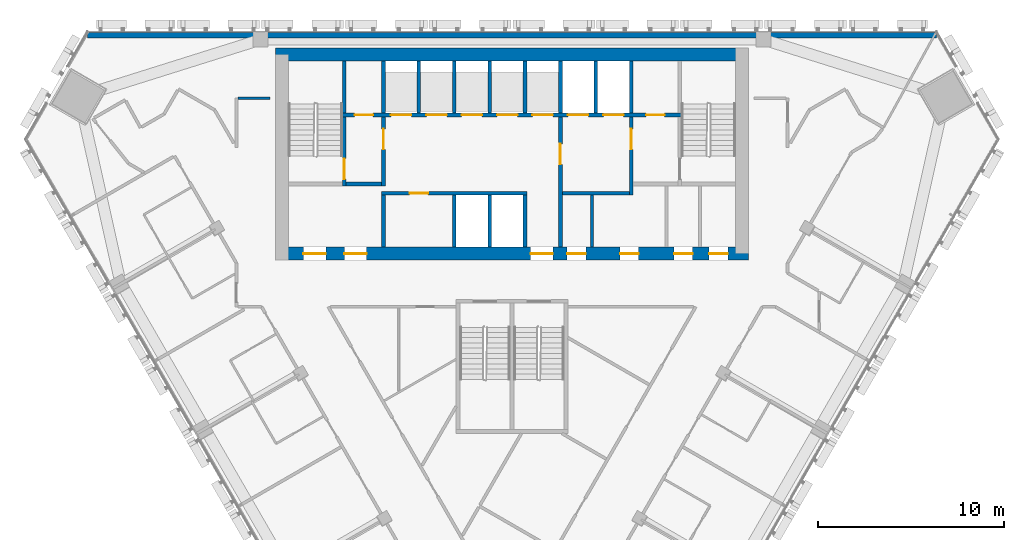
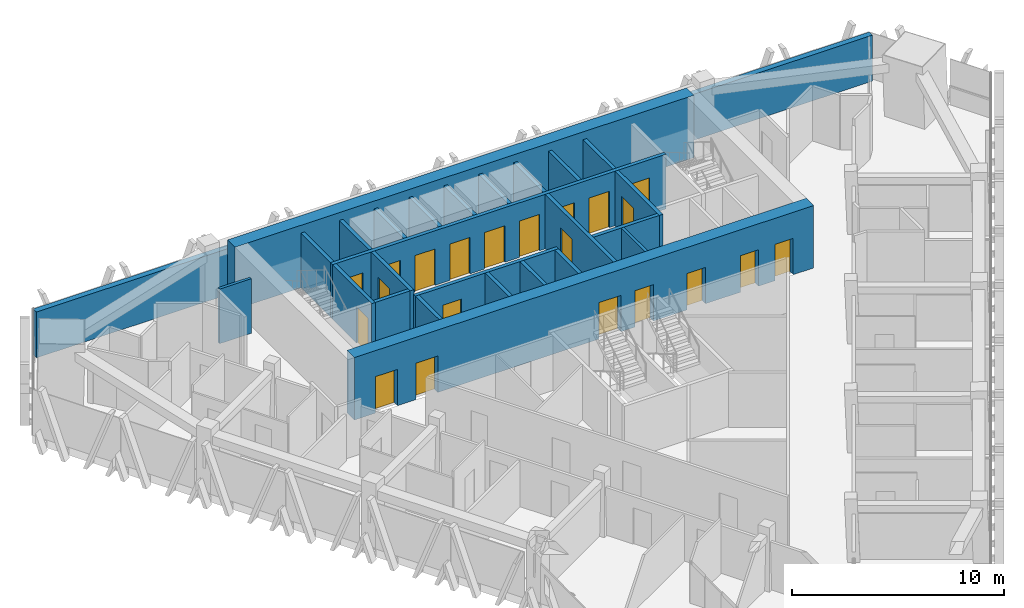
# One storey, part 11 of 16: 26 walls, 21 doors, 21 openings.
"""IFC4 building model written with IfcOpenShell, lengths in metres."""

from ifc_helpers import new_model, si_unit, direction, frame, frame_2d, origin, place, context, subcontext, project, spatial, rectangle, extrude, material, layer, layer_set, type_object, element, fill, save


model = new_model("IFC4")

# Units and contexts
model_context = context("Model", 3, precision=1e-05, world=origin(), true_north=direction((0.0, 1.0)))
body_context = subcontext(model_context, "Body", "Model", "MODEL_VIEW")
ifc_project = project(units=[si_unit("LENGTHUNIT", "METRE"), si_unit("AREAUNIT", "SQUARE_METRE"), si_unit("VOLUMEUNIT", "CUBIC_METRE"), si_unit("PLANEANGLEUNIT", "RADIAN"), si_unit("MASSUNIT", "GRAM", prefix="KILO")], contexts=[model_context])

# Site, building, storey
site_placement = place(None, origin())
site = spatial("IfcSite", under=ifc_project, at=site_placement, CompositionType="ELEMENT")
building_placement = place(site_placement, origin())
building = spatial("IfcBuilding", under=site, at=building_placement, Name="Altiplano Prism Tower", CompositionType="ELEMENT")
storey_placement = place(building_placement, frame((0.0, 0.0, 181.800048828125)))
storey = spatial("IfcBuildingStorey", under=building, at=storey_placement, Name="L47", CompositionType="ELEMENT", Elevation=181.800048828125)

# Wall, openings, doors
ifc_material_1 = material(Name="Concrete C60/75", Category="concrete")
ifc_layer_1 = layer(ifc_material_1, 0.699951171875)
ifc_layer_set_1 = layer_set([ifc_layer_1], Name="Concrete C60/75")
wall_type_1 = type_object("IfcWallType", Name="Core wall 700", PredefinedType="SHEAR", material=ifc_layer_set_1)
wall_1_placement = place(storey_placement, frame((72.64990234375, 93.050048828125, 0.0), z_axis=(0.0, 0.0, 1.0), x_axis=(1.0, 0.0, 0.0)))
wall_1 = element("IfcWall", 1, at=wall_1_placement, inside=storey, type_object=wall_type_1, Name="Core wall S L47", PredefinedType="SHEAR", context=body_context, shape_type="SweptSolid", body=[
    extrude(rectangle(XDim=25.050048828125, YDim=0.699951171875, at=frame_2d((12.52490234375, 0.0))), origin(), (0.0, 0.0, 1.0), 3.599853515625),
])
opening_1_placement = place(wall_1_placement, frame((1.14990234375, 0.0, 0.0)))
opening_1 = element("IfcOpeningElement", 2, at=opening_1_placement, cuts=wall_1, Name="Opening D3231", PredefinedType="OPENING", context=body_context, shape_type="SweptSolid", body=[
    extrude(rectangle(XDim=1.199951171875, YDim=2.10009765625, at=frame_2d((0.60009765625, 1.050048828125))), frame((0.0, 0.3603515625, 0.0), z_axis=(0.0, -1.0, 0.0), x_axis=(1.0, 0.0, 0.0)), (0.0, 0.0, 1.0), 0.720947265625),
])
opening_2_placement = place(wall_1_placement, frame((3.35009765625, 0.0, 0.0)))
opening_2 = element("IfcOpeningElement", 3, at=opening_2_placement, cuts=wall_1, Name="Opening D3232", PredefinedType="OPENING", context=body_context, shape_type="SweptSolid", body=[
    extrude(rectangle(XDim=1.199951171875, YDim=2.10009765625, at=frame_2d((0.60009765625, 1.050048828125))), frame((0.0, 0.3603515625, 0.0), z_axis=(0.0, -1.0, 0.0), x_axis=(1.0, 0.0, 0.0)), (0.0, 0.0, 1.0), 0.720947265625),
])
opening_3_placement = place(wall_1_placement, frame((13.35009765625, 0.0, 0.0)))
opening_3 = element("IfcOpeningElement", 4, at=opening_3_placement, cuts=wall_1, Name="Opening D3233", PredefinedType="OPENING", context=body_context, shape_type="SweptSolid", body=[
    extrude(rectangle(XDim=1.199951171875, YDim=2.10009765625, at=frame_2d((0.60009765625, 1.050048828125))), frame((0.0, 0.3603515625, 0.0), z_axis=(0.0, -1.0, 0.0), x_axis=(1.0, 0.0, 0.0)), (0.0, 0.0, 1.0), 0.720947265625),
])
opening_4_placement = place(wall_1_placement, frame((15.3125, 0.0, 0.0)))
opening_4 = element("IfcOpeningElement", 5, at=opening_4_placement, cuts=wall_1, Name="Opening D3236", PredefinedType="OPENING", context=body_context, shape_type="SweptSolid", body=[
    extrude(rectangle(XDim=1.0, YDim=2.10009765625, at=frame_2d((0.5, 1.050048828125))), frame((0.0, 0.3603515625, 0.0), z_axis=(0.0, -1.0, 0.0), x_axis=(1.0, 0.0, 0.0)), (0.0, 0.0, 1.0), 0.720947265625),
])
opening_5_placement = place(wall_1_placement, frame((18.14990234375, 0.0, 0.0)))
opening_5 = element("IfcOpeningElement", 6, at=opening_5_placement, cuts=wall_1, Name="Opening D3237", PredefinedType="OPENING", context=body_context, shape_type="SweptSolid", body=[
    extrude(rectangle(XDim=1.0, YDim=2.10009765625, at=frame_2d((0.5, 1.050048828125))), frame((0.0, 0.3603515625, 0.0), z_axis=(0.0, -1.0, 0.0), x_axis=(1.0, 0.0, 0.0)), (0.0, 0.0, 1.0), 0.720947265625),
])
opening_6_placement = place(wall_1_placement, frame((21.050048828125, 0.0, 0.0)))
opening_6 = element("IfcOpeningElement", 7, at=opening_6_placement, cuts=wall_1, Name="Opening D3238", PredefinedType="OPENING", context=body_context, shape_type="SweptSolid", body=[
    extrude(rectangle(XDim=1.0, YDim=2.10009765625, at=frame_2d((0.5, 1.050048828125))), frame((0.0, 0.3603515625, 0.0), z_axis=(0.0, -1.0, 0.0), x_axis=(1.0, 0.0, 0.0)), (0.0, 0.0, 1.0), 0.720947265625),
])
opening_7_placement = place(wall_1_placement, frame((22.9375, 0.0, 0.0)))
opening_7 = element("IfcOpeningElement", 8, at=opening_7_placement, cuts=wall_1, Name="Opening D3239", PredefinedType="OPENING", context=body_context, shape_type="SweptSolid", body=[
    extrude(rectangle(XDim=1.0, YDim=2.10009765625, at=frame_2d((0.5, 1.050048828125))), frame((0.0, 0.3603515625, 0.0), z_axis=(0.0, -1.0, 0.0), x_axis=(1.0, 0.0, 0.0)), (0.0, 0.0, 1.0), 0.720947265625),
])
ifc_material_2 = material(Name="Fire-rated steel door", Category="steel")
door_type_1 = type_object("IfcDoorType", Name="Core room door 1000 x 2100", OperationType="NOTDEFINED", PredefinedType="NOTDEFINED", material=ifc_material_2)
door_1_placement = place(opening_4_placement, origin())
door_1 = element("IfcDoor", 9, at=door_1_placement, inside=storey, type_object=door_type_1, Name="Core room door D3236", OperationType="SINGLE_SWING_RIGHT", OverallHeight=2.10009765625, OverallWidth=1.0, PredefinedType="NOTDEFINED", context=body_context, shape_type="SweptSolid", body=[
    extrude(rectangle(XDim=1.0, YDim=2.10009765625, at=frame_2d((0.5, 1.050048828125))), frame((0.0, 0.02490234375, 0.0), z_axis=(0.0, -1.0, 0.0), x_axis=(1.0, 0.0, 0.0)), (0.0, 0.0, 1.0), 0.050048828125),
])
fill(opening_4, door_1)
door_2_placement = place(opening_5_placement, origin())
door_2 = element("IfcDoor", 10, at=door_2_placement, inside=storey, type_object=door_type_1, Name="Core room door D3237", OperationType="SINGLE_SWING_LEFT", OverallHeight=2.10009765625, OverallWidth=1.0, PredefinedType="NOTDEFINED", context=body_context, shape_type="SweptSolid", body=[
    extrude(rectangle(XDim=1.0, YDim=2.10009765625, at=frame_2d((0.5, 1.050048828125))), frame((0.0, 0.02490234375, 0.0), z_axis=(0.0, -1.0, 0.0), x_axis=(1.0, 0.0, 0.0)), (0.0, 0.0, 1.0), 0.050048828125),
])
fill(opening_5, door_2)
door_3_placement = place(opening_6_placement, origin())
door_3 = element("IfcDoor", 11, at=door_3_placement, inside=storey, type_object=door_type_1, Name="Core room door D3238", OperationType="SINGLE_SWING_RIGHT", OverallHeight=2.10009765625, OverallWidth=1.0, PredefinedType="NOTDEFINED", context=body_context, shape_type="SweptSolid", body=[
    extrude(rectangle(XDim=1.0, YDim=2.10009765625, at=frame_2d((0.5, 1.050048828125))), frame((0.0, 0.02490234375, 0.0), z_axis=(0.0, -1.0, 0.0), x_axis=(1.0, 0.0, 0.0)), (0.0, 0.0, 1.0), 0.050048828125),
])
fill(opening_6, door_3)
door_4_placement = place(opening_7_placement, origin())
door_4 = element("IfcDoor", 12, at=door_4_placement, inside=storey, type_object=door_type_1, Name="Core room door D3239", OperationType="SINGLE_SWING_LEFT", OverallHeight=2.10009765625, OverallWidth=1.0, PredefinedType="NOTDEFINED", context=body_context, shape_type="SweptSolid", body=[
    extrude(rectangle(XDim=1.0, YDim=2.10009765625, at=frame_2d((0.5, 1.050048828125))), frame((0.0, 0.02490234375, 0.0), z_axis=(0.0, -1.0, 0.0), x_axis=(1.0, 0.0, 0.0)), (0.0, 0.0, 1.0), 0.050048828125),
])
fill(opening_7, door_4)
door_type_2 = type_object("IfcDoorType", Name="Lobby fire door 1200 x 2100", OperationType="NOTDEFINED", PredefinedType="NOTDEFINED", material=ifc_material_2)
door_5_placement = place(opening_1_placement, origin())
door_5 = element("IfcDoor", 13, at=door_5_placement, inside=storey, type_object=door_type_2, Name="Lobby fire door D3231", OperationType="SINGLE_SWING_RIGHT", OverallHeight=2.10009765625, OverallWidth=1.199951171875, PredefinedType="NOTDEFINED", context=body_context, shape_type="SweptSolid", body=[
    extrude(rectangle(XDim=1.199951171875, YDim=2.10009765625, at=frame_2d((0.60009765625, 1.050048828125))), frame((0.0, 0.02490234375, 0.0), z_axis=(0.0, -1.0, 0.0), x_axis=(1.0, 0.0, 0.0)), (0.0, 0.0, 1.0), 0.050048828125),
])
fill(opening_1, door_5)
door_6_placement = place(opening_2_placement, origin())
door_6 = element("IfcDoor", 14, at=door_6_placement, inside=storey, type_object=door_type_2, Name="Lobby fire door D3232", OperationType="SINGLE_SWING_LEFT", OverallHeight=2.10009765625, OverallWidth=1.199951171875, PredefinedType="NOTDEFINED", context=body_context, shape_type="SweptSolid", body=[
    extrude(rectangle(XDim=1.199951171875, YDim=2.10009765625, at=frame_2d((0.60009765625, 1.050048828125))), frame((0.0, 0.02490234375, 0.0), z_axis=(0.0, -1.0, 0.0), x_axis=(1.0, 0.0, 0.0)), (0.0, 0.0, 1.0), 0.050048828125),
])
fill(opening_2, door_6)
door_7_placement = place(opening_3_placement, origin())
door_7 = element("IfcDoor", 15, at=door_7_placement, inside=storey, type_object=door_type_2, Name="Lobby fire door D3233", OperationType="SINGLE_SWING_RIGHT", OverallHeight=2.10009765625, OverallWidth=1.199951171875, PredefinedType="NOTDEFINED", context=body_context, shape_type="SweptSolid", body=[
    extrude(rectangle(XDim=1.199951171875, YDim=2.10009765625, at=frame_2d((0.60009765625, 1.050048828125))), frame((0.0, 0.02490234375, 0.0), z_axis=(0.0, -1.0, 0.0), x_axis=(1.0, 0.0, 0.0)), (0.0, 0.0, 1.0), 0.050048828125),
])
fill(opening_3, door_7)

# Walls
wall_2_placement = place(storey_placement, frame((97.35009765625, 103.75, 0.0), z_axis=(0.0, 0.0, 1.0), x_axis=(-1.0, 0.0, 0.0)))
element("IfcWall", 16, at=wall_2_placement, inside=storey, type_object=wall_type_1, Name="Core wall N L47", PredefinedType="SHEAR", context=body_context, shape_type="SweptSolid", body=[
    extrude(rectangle(XDim=25.050048828125, YDim=0.699951171875, at=frame_2d((12.52490234375, 0.0))), origin(), (0.0, 0.0, 1.0), 3.599853515625),
])
ifc_material_3 = material(Name="Plasterboard on steel stud", Category="steel")
ifc_layer_2 = layer(ifc_material_3, 0.14990234375)
ifc_layer_set_2 = layer_set([ifc_layer_2], Name="Plasterboard on steel stud")
wall_type_2 = type_object("IfcWallType", Name="Partition 150 corridor", PredefinedType="PARTITIONING", material=ifc_layer_set_2)
wall_3_placement = place(storey_placement, frame((72.0, 101.39990234375, 0.0), z_axis=(0.0, 0.0, 1.0), x_axis=(-1.0, 0.0, 0.0)))
element("IfcWall", 17, at=wall_3_placement, inside=storey, type_object=wall_type_2, Name="Partition P06 L47 023", PredefinedType="PARTITIONING", context=body_context, shape_type="SweptSolid", body=[
    extrude(rectangle(XDim=1.72509765625, YDim=0.14990234375, at=frame_2d((0.862548828125, 0.0))), origin(), (0.0, 0.0, 1.0), 3.14990234375),
])
ifc_material_4 = material(Name="Fire-rated gypsum board partition")
ifc_layer_3 = layer(ifc_material_4, 0.14990234375)
ifc_layer_set_3 = layer_set([ifc_layer_3], Name="Fire-rated gypsum board partition")
wall_type_3 = type_object("IfcWallType", Name="Room partition 150", PredefinedType="PARTITIONING", material=ifc_layer_set_3)
wall_4_placement = place(storey_placement, frame((89.300048828125, 93.39990234375, 0.0), z_axis=(0.0, 0.0, 1.0), x_axis=(0.0, 1.0, 0.0)))
element("IfcWall", 18, at=wall_4_placement, inside=storey, type_object=wall_type_3, Name="Room partition L47", PredefinedType="PARTITIONING", context=body_context, shape_type="SweptSolid", body=[
    extrude(rectangle(XDim=2.800048828125, YDim=0.14990234375, at=frame_2d((1.39990234375, 0.0))), origin(), (0.0, 0.0, 1.0), 3.14990234375),
])
ifc_layer_4 = layer(ifc_material_1, 0.199951171875)
ifc_layer_set_4 = layer_set([ifc_layer_4], Name="Concrete C60/75")
wall_type_4 = type_object("IfcWallType", Name="Shaft wall 200", PredefinedType="SOLIDWALL", material=ifc_layer_set_4)
for number, where, z_axis, x_axis, name in (
    (19, (81.89990234375, 93.39990234375, 0.0), (0.0, 0.0, 1.0), (0.0, 1.0, 0.0), "Shaft wall L47"),
    (20, (83.800048828125, 93.39990234375, 0.0), (0.0, 0.0, 1.0), (0.0, 1.0, 0.0), "Shaft wall L47"),
    (21, (85.699951171875, 93.39990234375, 0.0), (0.0, 0.0, 1.0), (0.0, 1.0, 0.0), "Shaft wall L47"),
):
    element("IfcWall", number, at=place(storey_placement, frame(where, z_axis=z_axis, x_axis=x_axis)), inside=storey, type_object=wall_type_4, Name=name, PredefinedType="SOLIDWALL", context=body_context, shape_type="SweptSolid", body=[
        extrude(rectangle(XDim=2.800048828125, YDim=0.199951171875, at=frame_2d((1.39990234375, 0.0))), origin(), (0.0, 0.0, 1.0), 3.14990234375),
    ])

# Wall, opening, door
wall_5_placement = place(storey_placement, frame((78.0, 96.300048828125, 0.0), z_axis=(0.0, 0.0, 1.0), x_axis=(1.0, 0.0, 0.0)))
wall_5 = element("IfcWall", 22, at=wall_5_placement, inside=storey, type_object=wall_type_4, Name="Shaft wall L47", PredefinedType="SOLIDWALL", context=body_context, shape_type="SweptSolid", body=[
    extrude(rectangle(XDim=7.800048828125, YDim=0.199951171875, at=frame_2d((3.89990234375, 0.0))), origin(), (0.0, 0.0, 1.0), 3.14990234375),
])
opening_8_placement = place(wall_5_placement, frame((1.5, 0.0, 0.0)))
opening_8 = element("IfcOpeningElement", 23, at=opening_8_placement, cuts=wall_5, Name="Opening D3240", PredefinedType="OPENING", context=body_context, shape_type="SweptSolid", body=[
    extrude(rectangle(XDim=1.0, YDim=2.10009765625, at=frame_2d((0.5, 1.050048828125))), frame((0.0, 0.1103515625, 0.0), z_axis=(0.0, -1.0, 0.0), x_axis=(1.0, 0.0, 0.0)), (0.0, 0.0, 1.0), 0.220947265625),
])
door_8_placement = place(opening_8_placement, origin())
door_8 = element("IfcDoor", 24, at=door_8_placement, inside=storey, type_object=door_type_1, Name="Core room door D3240", OperationType="SINGLE_SWING_RIGHT", OverallHeight=2.10009765625, OverallWidth=1.0, PredefinedType="NOTDEFINED", context=body_context, shape_type="SweptSolid", body=[
    extrude(rectangle(XDim=1.0, YDim=2.10009765625, at=frame_2d((0.5, 1.050048828125))), frame((0.0, 0.02490234375, 0.0), z_axis=(0.0, -1.0, 0.0), x_axis=(1.0, 0.0, 0.0)), (0.0, 0.0, 1.0), 0.050048828125),
])
fill(opening_8, door_8)

# Walls
for number, where, z_axis, x_axis, name in (
    (25, (78.10009765625, 100.60009765625, 0.0), (0.0, 0.0, 1.0), (0.0, 1.0, 0.0), "Shaft wall L47"),
    (26, (80.0, 100.60009765625, 0.0), (0.0, 0.0, 1.0), (0.0, 1.0, 0.0), "Shaft wall L47"),
    (27, (81.89990234375, 100.60009765625, 0.0), (0.0, 0.0, 1.0), (0.0, 1.0, 0.0), "Shaft wall L47"),
    (28, (83.800048828125, 100.60009765625, 0.0), (0.0, 0.0, 1.0), (0.0, 1.0, 0.0), "Shaft wall L47"),
    (29, (85.699951171875, 100.60009765625, 0.0), (0.0, 0.0, 1.0), (0.0, 1.0, 0.0), "Shaft wall L47"),
    (30, (87.60009765625, 100.60009765625, 0.0), (0.0, 0.0, 1.0), (0.0, 1.0, 0.0), "Shaft wall L47"),
    (31, (89.5, 100.60009765625, 0.0), (0.0, 0.0, 1.0), (0.0, 1.0, 0.0), "Shaft wall L47"),
    (32, (91.39990234375, 100.60009765625, 0.0), (0.0, 0.0, 1.0), (0.0, 1.0, 0.0), "Shaft wall L47"),
):
    element("IfcWall", number, at=place(storey_placement, frame(where, z_axis=z_axis, x_axis=x_axis)), inside=storey, type_object=wall_type_4, Name=name, PredefinedType="SOLIDWALL", context=body_context, shape_type="SweptSolid", body=[
        extrude(rectangle(XDim=2.7998046875, YDim=0.199951171875, at=frame_2d((1.39990234375, 0.0))), origin(), (0.0, 0.0, 1.0), 3.14990234375),
    ])

# Wall, opening, door
ifc_layer_5 = layer(ifc_material_1, 0.199951171875)
ifc_layer_set_5 = layer_set([ifc_layer_5], Name="Concrete C60/75")
wall_type_5 = type_object("IfcWallType", Name="Stair wall 200", PredefinedType="SOLIDWALL", material=ifc_layer_set_5)
wall_6_placement = place(storey_placement, frame((76.0, 96.699951171875, 0.0), z_axis=(0.0, 0.0, 1.0), x_axis=(0.0, 1.0, 0.0)))
wall_6 = element("IfcWall", 33, at=wall_6_placement, inside=storey, type_object=wall_type_5, Name="Stair wall L47", PredefinedType="SOLIDWALL", context=body_context, shape_type="SweptSolid", body=[
    extrude(rectangle(XDim=3.699951171875, YDim=0.199951171875, at=frame_2d((1.85009765625, 0.0))), origin(), (0.0, 0.0, 1.0), 3.14990234375),
])
opening_9_placement = place(wall_6_placement, frame((0.35009765625, 0.0, 0.0)))
opening_9 = element("IfcOpeningElement", 34, at=opening_9_placement, cuts=wall_6, Name="Opening D3226", PredefinedType="OPENING", context=body_context, shape_type="SweptSolid", body=[
    extrude(rectangle(XDim=1.10009765625, YDim=2.10009765625, at=frame_2d((0.550048828125, 1.050048828125))), frame((0.0, 0.1103515625, 0.0), z_axis=(0.0, -1.0, 0.0), x_axis=(1.0, 0.0, 0.0)), (0.0, 0.0, 1.0), 0.220947265625),
])
door_type_3 = type_object("IfcDoorType", Name="Stair fire door 1100 x 2100", OperationType="NOTDEFINED", PredefinedType="NOTDEFINED", material=ifc_material_2)
door_9_placement = place(opening_9_placement, origin())
door_9 = element("IfcDoor", 35, at=door_9_placement, inside=storey, type_object=door_type_3, Name="Stair fire door D3226", OperationType="SINGLE_SWING_RIGHT", OverallHeight=2.10009765625, OverallWidth=1.10009765625, PredefinedType="NOTDEFINED", context=body_context, shape_type="SweptSolid", body=[
    extrude(rectangle(XDim=1.10009765625, YDim=2.10009765625, at=frame_2d((0.550048828125, 1.050048828125))), frame((0.0, 0.02490234375, 0.0), z_axis=(0.0, -1.0, 0.0), x_axis=(1.0, 0.0, 0.0)), (0.0, 0.0, 1.0), 0.050048828125),
])
fill(opening_9, door_9)

# Wall, openings, doors
wall_7_placement = place(storey_placement, frame((75.89990234375, 100.5, 0.0), z_axis=(0.0, 0.0, 1.0), x_axis=(1.0, 0.0, 0.0)))
wall_7 = element("IfcWall", 36, at=wall_7_placement, inside=storey, type_object=wall_type_5, Name="Stair wall L47", PredefinedType="SOLIDWALL", context=body_context, shape_type="SweptSolid", body=[
    extrude(rectangle(XDim=18.2001953125, YDim=0.199951171875, at=frame_2d((9.10009765625, 0.0))), origin(), (0.0, 0.0, 1.0), 3.14990234375),
])
opening_10_placement = place(wall_7_placement, frame((2.60009765625, 0.0, 0.0)))
opening_10 = element("IfcOpeningElement", 37, at=opening_10_placement, cuts=wall_7, Name="Opening LD-ML1-L47", PredefinedType="OPENING", context=body_context, shape_type="SweptSolid", body=[
    extrude(rectangle(XDim=1.10009765625, YDim=2.10009765625, at=frame_2d((0.550048828125, 1.050048828125))), frame((0.0, 0.1103515625, 0.0), z_axis=(0.0, -1.0, 0.0), x_axis=(1.0, 0.0, 0.0)), (0.0, 0.0, 1.0), 0.220947265625),
])
opening_11_placement = place(wall_7_placement, frame((4.5, 0.0, 0.0)))
opening_11 = element("IfcOpeningElement", 38, at=opening_11_placement, cuts=wall_7, Name="Opening LD-ML2-L47", PredefinedType="OPENING", context=body_context, shape_type="SweptSolid", body=[
    extrude(rectangle(XDim=1.10009765625, YDim=2.10009765625, at=frame_2d((0.550048828125, 1.050048828125))), frame((0.0, 0.1103515625, 0.0), z_axis=(0.0, -1.0, 0.0), x_axis=(1.0, 0.0, 0.0)), (0.0, 0.0, 1.0), 0.220947265625),
])
opening_12_placement = place(wall_7_placement, frame((6.39990234375, 0.0, 0.0)))
opening_12 = element("IfcOpeningElement", 39, at=opening_12_placement, cuts=wall_7, Name="Opening LD-ML3-L47", PredefinedType="OPENING", context=body_context, shape_type="SweptSolid", body=[
    extrude(rectangle(XDim=1.10009765625, YDim=2.10009765625, at=frame_2d((0.550048828125, 1.050048828125))), frame((0.0, 0.1103515625, 0.0), z_axis=(0.0, -1.0, 0.0), x_axis=(1.0, 0.0, 0.0)), (0.0, 0.0, 1.0), 0.220947265625),
])
opening_13_placement = place(wall_7_placement, frame((8.300048828125, 0.0, 0.0)))
opening_13 = element("IfcOpeningElement", 40, at=opening_13_placement, cuts=wall_7, Name="Opening LD-ML4-L47", PredefinedType="OPENING", context=body_context, shape_type="SweptSolid", body=[
    extrude(rectangle(XDim=1.10009765625, YDim=2.10009765625, at=frame_2d((0.550048828125, 1.050048828125))), frame((0.0, 0.1103515625, 0.0), z_axis=(0.0, -1.0, 0.0), x_axis=(1.0, 0.0, 0.0)), (0.0, 0.0, 1.0), 0.220947265625),
])
opening_14_placement = place(wall_7_placement, frame((10.199951171875, 0.0, 0.0)))
opening_14 = element("IfcOpeningElement", 41, at=opening_14_placement, cuts=wall_7, Name="Opening LD-ML5-L47", PredefinedType="OPENING", context=body_context, shape_type="SweptSolid", body=[
    extrude(rectangle(XDim=1.10009765625, YDim=2.10009765625, at=frame_2d((0.550048828125, 1.050048828125))), frame((0.0, 0.1103515625, 0.0), z_axis=(0.0, -1.0, 0.0), x_axis=(1.0, 0.0, 0.0)), (0.0, 0.0, 1.0), 0.220947265625),
])
opening_15_placement = place(wall_7_placement, frame((12.10009765625, 0.0, 0.0)))
opening_15 = element("IfcOpeningElement", 42, at=opening_15_placement, cuts=wall_7, Name="Opening LD-FF1-L47", PredefinedType="OPENING", context=body_context, shape_type="SweptSolid", body=[
    extrude(rectangle(XDim=1.10009765625, YDim=2.10009765625, at=frame_2d((0.550048828125, 1.050048828125))), frame((0.0, 0.1103515625, 0.0), z_axis=(0.0, -1.0, 0.0), x_axis=(1.0, 0.0, 0.0)), (0.0, 0.0, 1.0), 0.220947265625),
])
opening_16_placement = place(wall_7_placement, frame((14.0, 0.0, 0.0)))
opening_16 = element("IfcOpeningElement", 43, at=opening_16_placement, cuts=wall_7, Name="Opening LD-FF2-L47", PredefinedType="OPENING", context=body_context, shape_type="SweptSolid", body=[
    extrude(rectangle(XDim=1.10009765625, YDim=2.10009765625, at=frame_2d((0.550048828125, 1.050048828125))), frame((0.0, 0.1103515625, 0.0), z_axis=(0.0, -1.0, 0.0), x_axis=(1.0, 0.0, 0.0)), (0.0, 0.0, 1.0), 0.220947265625),
])
opening_17_placement = place(wall_7_placement, frame((0.64990234375, 0.0, 0.0)))
opening_17 = element("IfcOpeningElement", 44, at=opening_17_placement, cuts=wall_7, Name="Opening D3234", PredefinedType="OPENING", context=body_context, shape_type="SweptSolid", body=[
    extrude(rectangle(XDim=1.0, YDim=2.10009765625, at=frame_2d((0.5, 1.050048828125))), frame((0.0, 0.1103515625, 0.0), z_axis=(0.0, -1.0, 0.0), x_axis=(1.0, 0.0, 0.0)), (0.0, 0.0, 1.0), 0.220947265625),
])
opening_18_placement = place(wall_7_placement, frame((16.300048828125, 0.0, 0.0)))
opening_18 = element("IfcOpeningElement", 45, at=opening_18_placement, cuts=wall_7, Name="Opening D3235", PredefinedType="OPENING", context=body_context, shape_type="SweptSolid", body=[
    extrude(rectangle(XDim=1.0, YDim=2.10009765625, at=frame_2d((0.5, 1.050048828125))), frame((0.0, 0.1103515625, 0.0), z_axis=(0.0, -1.0, 0.0), x_axis=(1.0, 0.0, 0.0)), (0.0, 0.0, 1.0), 0.220947265625),
])
door_10_placement = place(opening_17_placement, origin())
door_10 = element("IfcDoor", 46, at=door_10_placement, inside=storey, type_object=door_type_1, Name="Core room door D3234", OperationType="SINGLE_SWING_LEFT", OverallHeight=2.10009765625, OverallWidth=1.0, PredefinedType="NOTDEFINED", context=body_context, shape_type="SweptSolid", body=[
    extrude(rectangle(XDim=1.0, YDim=2.10009765625, at=frame_2d((0.5, 1.050048828125))), frame((0.0, 0.02490234375, 0.0), z_axis=(0.0, -1.0, 0.0), x_axis=(1.0, 0.0, 0.0)), (0.0, 0.0, 1.0), 0.050048828125),
])
fill(opening_17, door_10)
door_11_placement = place(opening_18_placement, origin())
door_11 = element("IfcDoor", 47, at=door_11_placement, inside=storey, type_object=door_type_1, Name="Core room door D3235", OperationType="SINGLE_SWING_RIGHT", OverallHeight=2.10009765625, OverallWidth=1.0, PredefinedType="NOTDEFINED", context=body_context, shape_type="SweptSolid", body=[
    extrude(rectangle(XDim=1.0, YDim=2.10009765625, at=frame_2d((0.5, 1.050048828125))), frame((0.0, 0.02490234375, 0.0), z_axis=(0.0, -1.0, 0.0), x_axis=(1.0, 0.0, 0.0)), (0.0, 0.0, 1.0), 0.050048828125),
])
fill(opening_18, door_11)
ifc_material_5 = material(Name="Stainless steel landing door", Category="steel")
door_type_4 = type_object("IfcDoorType", Name="Landing door 1100 x 2100", OperationType="NOTDEFINED", PredefinedType="NOTDEFINED", material=ifc_material_5)
door_12_placement = place(opening_10_placement, origin())
door_12 = element("IfcDoor", 48, at=door_12_placement, inside=storey, type_object=door_type_4, Name="Landing doors ML1", OperationType="SLIDING_TO_RIGHT", OverallHeight=2.10009765625, OverallWidth=1.10009765625, PredefinedType="NOTDEFINED", context=body_context, shape_type="SweptSolid", body=[
    extrude(rectangle(XDim=1.10009765625, YDim=2.10009765625, at=frame_2d((0.550048828125, 1.050048828125))), frame((0.0, 0.02490234375, 0.0), z_axis=(0.0, -1.0, 0.0), x_axis=(1.0, 0.0, 0.0)), (0.0, 0.0, 1.0), 0.050048828125),
])
fill(opening_10, door_12)
door_13_placement = place(opening_11_placement, origin())
door_13 = element("IfcDoor", 49, at=door_13_placement, inside=storey, type_object=door_type_4, Name="Landing doors ML2", OperationType="SLIDING_TO_LEFT", OverallHeight=2.10009765625, OverallWidth=1.10009765625, PredefinedType="NOTDEFINED", context=body_context, shape_type="SweptSolid", body=[
    extrude(rectangle(XDim=1.10009765625, YDim=2.10009765625, at=frame_2d((0.550048828125, 1.050048828125))), frame((0.0, 0.02490234375, 0.0), z_axis=(0.0, -1.0, 0.0), x_axis=(1.0, 0.0, 0.0)), (0.0, 0.0, 1.0), 0.050048828125),
])
fill(opening_11, door_13)
door_14_placement = place(opening_12_placement, origin())
door_14 = element("IfcDoor", 50, at=door_14_placement, inside=storey, type_object=door_type_4, Name="Landing doors ML3", OperationType="SLIDING_TO_RIGHT", OverallHeight=2.10009765625, OverallWidth=1.10009765625, PredefinedType="NOTDEFINED", context=body_context, shape_type="SweptSolid", body=[
    extrude(rectangle(XDim=1.10009765625, YDim=2.10009765625, at=frame_2d((0.550048828125, 1.050048828125))), frame((0.0, 0.02490234375, 0.0), z_axis=(0.0, -1.0, 0.0), x_axis=(1.0, 0.0, 0.0)), (0.0, 0.0, 1.0), 0.050048828125),
])
fill(opening_12, door_14)
door_15_placement = place(opening_13_placement, origin())
door_15 = element("IfcDoor", 51, at=door_15_placement, inside=storey, type_object=door_type_4, Name="Landing doors ML4", OperationType="SLIDING_TO_LEFT", OverallHeight=2.10009765625, OverallWidth=1.10009765625, PredefinedType="NOTDEFINED", context=body_context, shape_type="SweptSolid", body=[
    extrude(rectangle(XDim=1.10009765625, YDim=2.10009765625, at=frame_2d((0.550048828125, 1.050048828125))), frame((0.0, 0.02490234375, 0.0), z_axis=(0.0, -1.0, 0.0), x_axis=(1.0, 0.0, 0.0)), (0.0, 0.0, 1.0), 0.050048828125),
])
fill(opening_13, door_15)
door_16_placement = place(opening_14_placement, origin())
door_16 = element("IfcDoor", 52, at=door_16_placement, inside=storey, type_object=door_type_4, Name="Landing doors ML5", OperationType="SLIDING_TO_RIGHT", OverallHeight=2.10009765625, OverallWidth=1.10009765625, PredefinedType="NOTDEFINED", context=body_context, shape_type="SweptSolid", body=[
    extrude(rectangle(XDim=1.10009765625, YDim=2.10009765625, at=frame_2d((0.550048828125, 1.050048828125))), frame((0.0, 0.02490234375, 0.0), z_axis=(0.0, -1.0, 0.0), x_axis=(1.0, 0.0, 0.0)), (0.0, 0.0, 1.0), 0.050048828125),
])
fill(opening_14, door_16)
door_17_placement = place(opening_15_placement, origin())
door_17 = element("IfcDoor", 53, at=door_17_placement, inside=storey, type_object=door_type_4, Name="Landing doors FF1", OperationType="SLIDING_TO_RIGHT", OverallHeight=2.10009765625, OverallWidth=1.10009765625, PredefinedType="NOTDEFINED", context=body_context, shape_type="SweptSolid", body=[
    extrude(rectangle(XDim=1.10009765625, YDim=2.10009765625, at=frame_2d((0.550048828125, 1.050048828125))), frame((0.0, 0.02490234375, 0.0), z_axis=(0.0, -1.0, 0.0), x_axis=(1.0, 0.0, 0.0)), (0.0, 0.0, 1.0), 0.050048828125),
])
fill(opening_15, door_17)
door_18_placement = place(opening_16_placement, origin())
door_18 = element("IfcDoor", 54, at=door_18_placement, inside=storey, type_object=door_type_4, Name="Landing doors FF2", OperationType="SLIDING_TO_LEFT", OverallHeight=2.10009765625, OverallWidth=1.10009765625, PredefinedType="NOTDEFINED", context=body_context, shape_type="SweptSolid", body=[
    extrude(rectangle(XDim=1.10009765625, YDim=2.10009765625, at=frame_2d((0.550048828125, 1.050048828125))), frame((0.0, 0.02490234375, 0.0), z_axis=(0.0, -1.0, 0.0), x_axis=(1.0, 0.0, 0.0)), (0.0, 0.0, 1.0), 0.050048828125),
])
fill(opening_16, door_18)

# Walls
wall_8_placement = place(storey_placement, frame((76.0, 100.60009765625, 0.0), z_axis=(0.0, 0.0, 1.0), x_axis=(0.0, 1.0, 0.0)))
element("IfcWall", 55, at=wall_8_placement, inside=storey, type_object=wall_type_5, Name="Stair wall L47", PredefinedType="SOLIDWALL", context=body_context, shape_type="SweptSolid", body=[
    extrude(rectangle(XDim=2.7998046875, YDim=0.199951171875, at=frame_2d((1.39990234375, 0.0))), origin(), (0.0, 0.0, 1.0), 3.14990234375),
])
ifc_material_6 = material(Name="Concrete C40", Category="concrete")
ifc_layer_6 = layer(ifc_material_6, 0.300048828125)
ifc_layer_set_6 = layer_set([ifc_layer_6], Name="Concrete C40")
wall_type_6 = type_object("IfcWallType", Name="Stone-clad external wall 300", PredefinedType="SOLIDWALL", material=ifc_layer_set_6)
wall_9_placement = place(storey_placement, frame((62.1962890625, 104.7900390625, 0.0), z_axis=(0.0, 0.0, 1.0), x_axis=(1.0, 0.0, 0.0)))
element("IfcWall", 56, at=wall_9_placement, inside=storey, type_object=wall_type_6, Name="External wall north face L47", PredefinedType="SOLIDWALL", context=body_context, shape_type="SweptSolid", body=[
    extrude(rectangle(XDim=45.607421875, YDim=0.300048828125, at=frame_2d((22.8037109375, 0.0))), origin(), (0.0, 0.0, 1.0), 2.64990234375),
])
ifc_layer_7 = layer(ifc_material_1, 0.199951171875)
ifc_layer_set_7 = layer_set([ifc_layer_7], Name="Concrete C60/75")
wall_type_7 = type_object("IfcWallType", Name="Vestibule wall 200", PredefinedType="PARTITIONING", material=ifc_layer_set_7)
wall_10_placement = place(storey_placement, frame((78.10009765625, 93.39990234375, 0.0), z_axis=(0.0, 0.0, 1.0), x_axis=(0.0, 1.0, 0.0)))
element("IfcWall", 57, at=wall_10_placement, inside=storey, type_object=wall_type_7, Name="Vestibule wall L47", PredefinedType="PARTITIONING", context=body_context, shape_type="SweptSolid", body=[
    extrude(rectangle(XDim=2.800048828125, YDim=0.199951171875, at=frame_2d((1.39990234375, 0.0))), origin(), (0.0, 0.0, 1.0), 3.14990234375),
])

# Wall, opening, door
wall_11_placement = place(storey_placement, frame((87.60009765625, 93.39990234375, 0.0), z_axis=(0.0, 0.0, 1.0), x_axis=(0.0, 1.0, 0.0)))
wall_11 = element("IfcWall", 58, at=wall_11_placement, inside=storey, type_object=wall_type_7, Name="Vestibule wall L47", PredefinedType="PARTITIONING", context=body_context, shape_type="SweptSolid", body=[
    extrude(rectangle(XDim=7.0, YDim=0.199951171875, at=frame_2d((3.5, 0.0))), origin(), (0.0, 0.0, 1.0), 3.14990234375),
])
opening_19_placement = place(wall_11_placement, frame((4.449951171875, 0.0, 0.0)))
opening_19 = element("IfcOpeningElement", 59, at=opening_19_placement, cuts=wall_11, Name="Opening D3229", PredefinedType="OPENING", context=body_context, shape_type="SweptSolid", body=[
    extrude(rectangle(XDim=1.10009765625, YDim=2.10009765625, at=frame_2d((0.550048828125, 1.050048828125))), frame((0.0, 0.1103515625, 0.0), z_axis=(0.0, -1.0, 0.0), x_axis=(1.0, 0.0, 0.0)), (0.0, 0.0, 1.0), 0.220947265625),
])
door_type_5 = type_object("IfcDoorType", Name="Vestibule fire door 1100 x 2100", OperationType="NOTDEFINED", PredefinedType="NOTDEFINED", material=ifc_material_2)
door_19_placement = place(opening_19_placement, origin())
door_19 = element("IfcDoor", 60, at=door_19_placement, inside=storey, type_object=door_type_5, Name="Vestibule fire door D3229", OperationType="SINGLE_SWING_RIGHT", OverallHeight=2.10009765625, OverallWidth=1.10009765625, PredefinedType="NOTDEFINED", context=body_context, shape_type="SweptSolid", body=[
    extrude(rectangle(XDim=1.10009765625, YDim=2.10009765625, at=frame_2d((0.550048828125, 1.050048828125))), frame((0.0, 0.02490234375, 0.0), z_axis=(0.0, -1.0, 0.0), x_axis=(1.0, 0.0, 0.0)), (0.0, 0.0, 1.0), 0.050048828125),
])
fill(opening_19, door_19)

# Wall
wall_12_placement = place(storey_placement, frame((87.699951171875, 96.300048828125, 0.0), z_axis=(0.0, 0.0, 1.0), x_axis=(1.0, 0.0, 0.0)))
element("IfcWall", 61, at=wall_12_placement, inside=storey, type_object=wall_type_7, Name="Vestibule wall L47", PredefinedType="PARTITIONING", context=body_context, shape_type="SweptSolid", body=[
    extrude(rectangle(XDim=3.60009765625, YDim=0.199951171875, at=frame_2d((1.800048828125, 0.0))), origin(), (0.0, 0.0, 1.0), 3.14990234375),
])

# Wall, opening, door
wall_13_placement = place(storey_placement, frame((91.39990234375, 96.199951171875, 0.0), z_axis=(0.0, 0.0, 1.0), x_axis=(0.0, 1.0, 0.0)))
wall_13 = element("IfcWall", 62, at=wall_13_placement, inside=storey, type_object=wall_type_7, Name="Vestibule wall L47", PredefinedType="PARTITIONING", context=body_context, shape_type="SweptSolid", body=[
    extrude(rectangle(XDim=4.199951171875, YDim=0.199951171875, at=frame_2d((2.10009765625, 0.0))), origin(), (0.0, 0.0, 1.0), 3.14990234375),
])
opening_20_placement = place(wall_13_placement, frame((2.449951171875, 0.0, 0.0)))
opening_20 = element("IfcOpeningElement", 63, at=opening_20_placement, cuts=wall_13, Name="Opening D3230", PredefinedType="OPENING", context=body_context, shape_type="SweptSolid", body=[
    extrude(rectangle(XDim=1.10009765625, YDim=2.10009765625, at=frame_2d((0.550048828125, 1.050048828125))), frame((0.0, 0.1103515625, 0.0), z_axis=(0.0, -1.0, 0.0), x_axis=(1.0, 0.0, 0.0)), (0.0, 0.0, 1.0), 0.220947265625),
])
door_20_placement = place(opening_20_placement, origin())
door_20 = element("IfcDoor", 64, at=door_20_placement, inside=storey, type_object=door_type_5, Name="Vestibule fire door D3230", OperationType="SINGLE_SWING_LEFT", OverallHeight=2.10009765625, OverallWidth=1.10009765625, PredefinedType="NOTDEFINED", context=body_context, shape_type="SweptSolid", body=[
    extrude(rectangle(XDim=1.10009765625, YDim=2.10009765625, at=frame_2d((0.550048828125, 1.050048828125))), frame((0.0, 0.02490234375, 0.0), z_axis=(0.0, -1.0, 0.0), x_axis=(1.0, 0.0, 0.0)), (0.0, 0.0, 1.0), 0.050048828125),
])
fill(opening_20, door_20)

# Wall
wall_14_placement = place(storey_placement, frame((76.10009765625, 96.800048828125, 0.0), z_axis=(0.0, 0.0, 1.0), x_axis=(1.0, 0.0, 0.0)))
element("IfcWall", 65, at=wall_14_placement, inside=storey, type_object=wall_type_7, Name="Vestibule wall L47", PredefinedType="PARTITIONING", context=body_context, shape_type="SweptSolid", body=[
    extrude(rectangle(XDim=1.89990234375, YDim=0.199951171875, at=frame_2d((0.949951171875, 0.0))), origin(), (0.0, 0.0, 1.0), 3.14990234375),
])

# Wall, opening, door
wall_15_placement = place(storey_placement, frame((78.10009765625, 96.699951171875, 0.0), z_axis=(0.0, 0.0, 1.0), x_axis=(0.0, 1.0, 0.0)))
wall_15 = element("IfcWall", 66, at=wall_15_placement, inside=storey, type_object=wall_type_7, Name="Vestibule wall L47", PredefinedType="PARTITIONING", context=body_context, shape_type="SweptSolid", body=[
    extrude(rectangle(XDim=3.699951171875, YDim=0.199951171875, at=frame_2d((1.85009765625, 0.0))), origin(), (0.0, 0.0, 1.0), 3.14990234375),
])
opening_21_placement = place(wall_15_placement, frame((1.949951171875, 0.0, 0.0)))
opening_21 = element("IfcOpeningElement", 67, at=opening_21_placement, cuts=wall_15, Name="Opening D3228", PredefinedType="OPENING", context=body_context, shape_type="SweptSolid", body=[
    extrude(rectangle(XDim=1.10009765625, YDim=2.10009765625, at=frame_2d((0.550048828125, 1.050048828125))), frame((0.0, 0.1103515625, 0.0), z_axis=(0.0, -1.0, 0.0), x_axis=(1.0, 0.0, 0.0)), (0.0, 0.0, 1.0), 0.220947265625),
])
door_21_placement = place(opening_21_placement, origin())
door_21 = element("IfcDoor", 68, at=door_21_placement, inside=storey, type_object=door_type_5, Name="Vestibule fire door D3228", OperationType="SINGLE_SWING_LEFT", OverallHeight=2.10009765625, OverallWidth=1.10009765625, PredefinedType="NOTDEFINED", context=body_context, shape_type="SweptSolid", body=[
    extrude(rectangle(XDim=1.10009765625, YDim=2.10009765625, at=frame_2d((0.550048828125, 1.050048828125))), frame((0.0, 0.02490234375, 0.0), z_axis=(0.0, -1.0, 0.0), x_axis=(1.0, 0.0, 0.0)), (0.0, 0.0, 1.0), 0.050048828125),
])
fill(opening_21, door_21)

save(model, "model.ifc")
